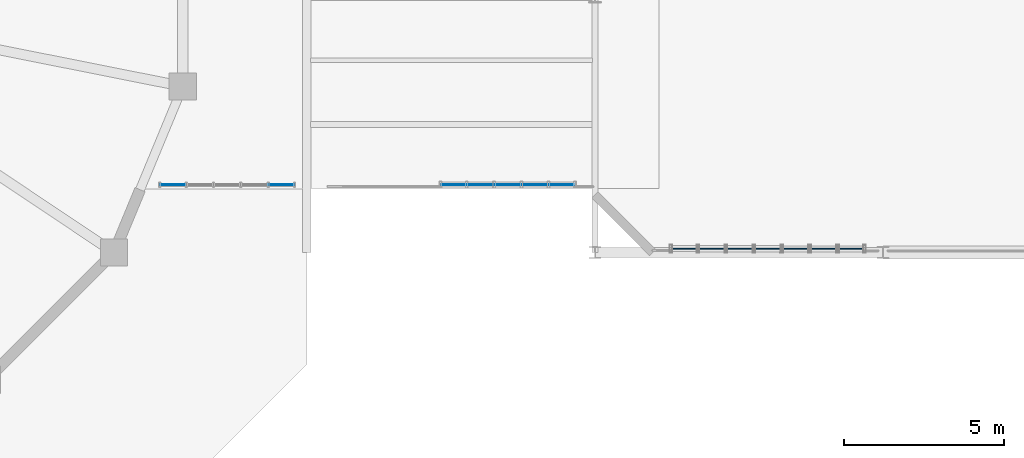
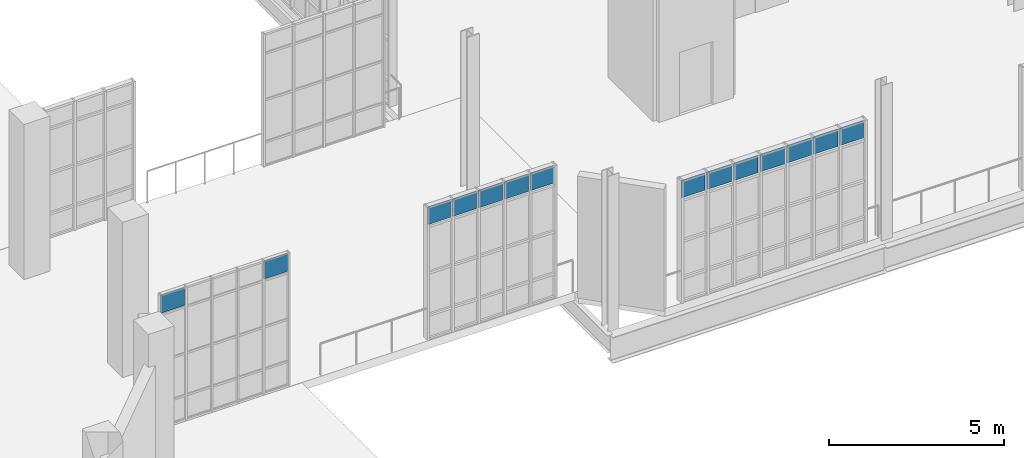
# One storey, part 119 of 142: 14 plates, 3 elements without a shape of their own.
"""IFC4 building model written with IfcOpenShell, lengths in metres."""

from ifc_helpers import new_model, si_unit, direction, frame, origin, origin_2d, place, context, subcontext, project, spatial, rectangle, extrude, material, layer, layer_set, type_object, element, aggregate, save


model = new_model("IFC4")

# Units and contexts
model_context = context("Model", 3, precision=1e-05, world=origin(), true_north=direction((0.0, 1.0)))
body_context = subcontext(model_context, "Body", "Model", "MODEL_VIEW")
ifc_project = project(units=[si_unit("LENGTHUNIT", "METRE"), si_unit("AREAUNIT", "SQUARE_METRE"), si_unit("VOLUMEUNIT", "CUBIC_METRE"), si_unit("PLANEANGLEUNIT", "RADIAN"), si_unit("MASSUNIT", "GRAM", prefix="KILO"), si_unit("THERMODYNAMICTEMPERATUREUNIT", "KELVIN"), si_unit("POWERUNIT", "WATT")], contexts=[model_context])

# Site, building, storey
site_placement = place(None, origin())
site = spatial("IfcSite", under=ifc_project, at=site_placement, CompositionType="ELEMENT")
building_placement = place(site_placement, origin())
building = spatial("IfcBuilding", under=site, at=building_placement, Name="Zelmaris Science Centre", CompositionType="ELEMENT")
storey_placement = place(building_placement, frame((0.0, 0.0, 5.39990234375)))
storey = spatial("IfcBuildingStorey", under=building, at=storey_placement, Name="L01", CompositionType="ELEMENT", Elevation=5.39990234375)

# Curtain wall, plates
ifc_material_1 = material(Name="Anodised architectural aluminium 6063-T6", Category="aluminium")
ifc_layer_1 = layer(ifc_material_1, 0.18994140625, Name="Anodised architectural aluminium 6063-T6")
ifc_layer_set_1 = layer_set([ifc_layer_1], Name="Anodised architectural aluminium 6063-T6")
curtain_wall_type_1 = type_object("IfcCurtainWallType", Name="Curtain Wall CW-01", PredefinedType="USERDEFINED", material=ifc_layer_set_1)
curtain_wall_1_placement = place(storey_placement, origin())
curtain_wall_1 = element("IfcCurtainWall", 1, at=curtain_wall_1_placement, inside=storey, type_object=curtain_wall_type_1, Name="L01 Unitised curtain wall 197", ObjectType="GLAZED CURTAIN WALL", PredefinedType="USERDEFINED")
ifc_material_2 = material(Name="Laminated hurricane-rated low-E insulated glazing", Category="glass")
ifc_layer_2 = layer(ifc_material_2, 0.031982421875, Name="Laminated hurricane-rated low-E insulated glazing")
ifc_layer_set_2 = layer_set([ifc_layer_2], Name="Laminated hurricane-rated low-E insulated glazing")
plate_type_1 = type_object("IfcPlateType", Name="Curtain Glazing Panel CWP-1 32mm", PredefinedType="CURTAIN_PANEL", material=ifc_layer_set_2)
plate_1_placement = place(storey_placement, frame((62.0048828125, 64.1142578125, 3.580078125), z_axis=(0.0, 0.0, 1.0), x_axis=(-0.999999566273, 0.000931372149, 0.0)))
plate_1 = element("IfcPlate", 2, at=plate_1_placement, type_object=plate_type_1, Name="CW-01 panel 1.4", PredefinedType="CURTAIN_PANEL", context=body_context, shape_type="SweptSolid", body=[
    extrude(rectangle(XDim=0.766357421875, YDim=0.031982421875, at=origin_2d()), origin(), (0.0, 0.0, 1.0), 0.592041015625),
])
plate_2_placement = place(storey_placement, frame((61.148681640625, 64.115234375, 3.580078125), z_axis=(0.0, 0.0, 1.0), x_axis=(-0.999999566273, 0.000931372149, 0.0)))
plate_2 = element("IfcPlate", 3, at=plate_2_placement, type_object=plate_type_1, Name="CW-01 panel 2.4", PredefinedType="CURTAIN_PANEL", context=body_context, shape_type="SweptSolid", body=[
    extrude(rectangle(XDim=0.80224609375, YDim=0.031982421875, at=origin_2d()), origin(), (0.0, 0.0, 1.0), 0.592041015625),
])
plate_3_placement = place(storey_placement, frame((60.2744140625, 64.115966796875, 3.580078125), z_axis=(0.0, 0.0, 1.0), x_axis=(-0.999999566273, 0.000931372149, 0.0)))
plate_3 = element("IfcPlate", 4, at=plate_3_placement, type_object=plate_type_1, Name="CW-01 panel 3.4", PredefinedType="CURTAIN_PANEL", context=body_context, shape_type="SweptSolid", body=[
    extrude(rectangle(XDim=0.80224609375, YDim=0.031982421875, at=origin_2d()), origin(), (0.0, 0.0, 1.0), 0.592041015625),
])
plate_4_placement = place(storey_placement, frame((59.400146484375, 64.11669921875, 3.580078125), z_axis=(0.0, 0.0, 1.0), x_axis=(-0.999999566273, 0.000931372149, 0.0)))
plate_4 = element("IfcPlate", 5, at=plate_4_placement, type_object=plate_type_1, Name="CW-01 panel 4.4", PredefinedType="CURTAIN_PANEL", context=body_context, shape_type="SweptSolid", body=[
    extrude(rectangle(XDim=0.80224609375, YDim=0.031982421875, at=origin_2d()), origin(), (0.0, 0.0, 1.0), 0.592041015625),
])
plate_5_placement = place(storey_placement, frame((58.52587890625, 64.11767578125, 3.580078125), z_axis=(0.0, 0.0, 1.0), x_axis=(-0.999999566273, 0.000931372149, 0.0)))
plate_5 = element("IfcPlate", 6, at=plate_5_placement, type_object=plate_type_1, Name="CW-01 panel 5.4", PredefinedType="CURTAIN_PANEL", context=body_context, shape_type="SweptSolid", body=[
    extrude(rectangle(XDim=0.80224609375, YDim=0.031982421875, at=origin_2d()), origin(), (0.0, 0.0, 1.0), 0.592041015625),
])
plate_6_placement = place(storey_placement, frame((57.651611328125, 64.118408203125, 3.580078125), z_axis=(0.0, 0.0, 1.0), x_axis=(-0.999999566273, 0.000931372149, 0.0)))
plate_6 = element("IfcPlate", 7, at=plate_6_placement, type_object=plate_type_1, Name="CW-01 panel 6.4", PredefinedType="CURTAIN_PANEL", context=body_context, shape_type="SweptSolid", body=[
    extrude(rectangle(XDim=0.80224609375, YDim=0.031982421875, at=origin_2d()), origin(), (0.0, 0.0, 1.0), 0.592041015625),
])
plate_7_placement = place(storey_placement, frame((56.795166015625, 64.119140625, 3.580078125), z_axis=(0.0, 0.0, 1.0), x_axis=(-0.999999566273, 0.000931372149, 0.0)))
plate_7 = element("IfcPlate", 8, at=plate_7_placement, type_object=plate_type_1, Name="CW-01 panel 7.4", PredefinedType="CURTAIN_PANEL", context=body_context, shape_type="SweptSolid", body=[
    extrude(rectangle(XDim=0.766357421875, YDim=0.031982421875, at=origin_2d()), origin(), (0.0, 0.0, 1.0), 0.592041015625),
])
aggregate(curtain_wall_1, [plate_1, plate_2, plate_3, plate_4, plate_5, plate_6, plate_7])

ifc_layer_3 = layer(ifc_material_1, 0.199951171875, Name="Anodised architectural aluminium 6063-T6")
ifc_layer_set_3 = layer_set([ifc_layer_3], Name="Anodised architectural aluminium 6063-T6")
curtain_wall_type_2 = type_object("IfcCurtainWallType", Name="Curtain Wall CW-02", PredefinedType="USERDEFINED", material=ifc_layer_set_3)
curtain_wall_2_placement = place(storey_placement, origin())
curtain_wall_2 = element("IfcCurtainWall", 9, at=curtain_wall_2_placement, inside=storey, type_object=curtain_wall_type_2, Name="L01 Unitised curtain wall 198", ObjectType="GLAZED CURTAIN WALL", PredefinedType="USERDEFINED")
ifc_layer_4 = layer(ifc_material_2, 0.028076171875, Name="Laminated hurricane-rated low-E insulated glazing")
ifc_layer_set_4 = layer_set([ifc_layer_4], Name="Laminated hurricane-rated low-E insulated glazing")
plate_type_2 = type_object("IfcPlateType", Name="Curtain Glazing Panel CWP-2 28mm", PredefinedType="CURTAIN_PANEL", material=ifc_layer_set_4)
plate_8_placement = place(storey_placement, frame((52.962890625, 66.11962890625, 3.95361328125), z_axis=(0.0, 0.0, 1.0), x_axis=(-1.0, 0.0, 0.0)))
plate_8 = element("IfcPlate", 10, at=plate_8_placement, type_object=plate_type_2, Name="CW-02 panel 1.4", PredefinedType="CURTAIN_PANEL", context=body_context, shape_type="SweptSolid", body=[
    extrude(rectangle(XDim=0.752197265625, YDim=0.028076171875, at=origin_2d()), origin(), (0.0, 0.0, 1.0), 0.599609375),
])
plate_9_placement = place(storey_placement, frame((52.126953125, 66.11962890625, 3.95361328125), z_axis=(0.0, 0.0, 1.0), x_axis=(-1.0, 0.0, 0.0)))
plate_9 = element("IfcPlate", 11, at=plate_9_placement, type_object=plate_type_2, Name="CW-02 panel 2.4", PredefinedType="CURTAIN_PANEL", context=body_context, shape_type="SweptSolid", body=[
    extrude(rectangle(XDim=0.78564453125, YDim=0.028076171875, at=origin_2d()), origin(), (0.0, 0.0, 1.0), 0.599609375),
])
plate_10_placement = place(storey_placement, frame((51.274169921875, 66.11962890625, 3.95361328125), z_axis=(0.0, 0.0, 1.0), x_axis=(-1.0, 0.0, 0.0)))
plate_10 = element("IfcPlate", 12, at=plate_10_placement, type_object=plate_type_2, Name="CW-02 panel 3.4", PredefinedType="CURTAIN_PANEL", context=body_context, shape_type="SweptSolid", body=[
    extrude(rectangle(XDim=0.78564453125, YDim=0.028076171875, at=origin_2d()), origin(), (0.0, 0.0, 1.0), 0.599609375),
])
plate_11_placement = place(storey_placement, frame((50.421630859375, 66.11962890625, 3.95361328125), z_axis=(0.0, 0.0, 1.0), x_axis=(-1.0, 0.0, 0.0)))
plate_11 = element("IfcPlate", 13, at=plate_11_placement, type_object=plate_type_2, Name="CW-02 panel 4.4", PredefinedType="CURTAIN_PANEL", context=body_context, shape_type="SweptSolid", body=[
    extrude(rectangle(XDim=0.78564453125, YDim=0.028076171875, at=origin_2d()), origin(), (0.0, 0.0, 1.0), 0.599609375),
])
plate_12_placement = place(storey_placement, frame((49.585693359375, 66.11962890625, 3.95361328125), z_axis=(0.0, 0.0, 1.0), x_axis=(-1.0, 0.0, 0.0)))
plate_12 = element("IfcPlate", 14, at=plate_12_placement, type_object=plate_type_2, Name="CW-02 panel 5.4", PredefinedType="CURTAIN_PANEL", context=body_context, shape_type="SweptSolid", body=[
    extrude(rectangle(XDim=0.752197265625, YDim=0.028076171875, at=origin_2d()), origin(), (0.0, 0.0, 1.0), 0.599609375),
])
aggregate(curtain_wall_2, [plate_8, plate_9, plate_10, plate_11, plate_12])

ifc_layer_5 = layer(ifc_material_1, 0.219970703125, Name="Anodised architectural aluminium 6063-T6")
ifc_layer_set_5 = layer_set([ifc_layer_5], Name="Anodised architectural aluminium 6063-T6")
curtain_wall_type_3 = type_object("IfcCurtainWallType", Name="Curtain Wall CW-04", PredefinedType="USERDEFINED", material=ifc_layer_set_5)
curtain_wall_3_placement = place(storey_placement, origin())
curtain_wall_3 = element("IfcCurtainWall", 15, at=curtain_wall_3_placement, inside=storey, type_object=curtain_wall_type_3, Name="L01 Unitised curtain wall 200", ObjectType="GLAZED CURTAIN WALL", PredefinedType="USERDEFINED")
ifc_layer_6 = layer(ifc_material_2, 0.02392578125, Name="Laminated hurricane-rated low-E insulated glazing")
ifc_layer_set_6 = layer_set([ifc_layer_6], Name="Laminated hurricane-rated low-E insulated glazing")
plate_type_3 = type_object("IfcPlateType", Name="Curtain Glazing Panel CWP-4 24mm", PredefinedType="CURTAIN_PANEL", material=ifc_layer_set_6)
plate_13_placement = place(storey_placement, frame((44.199951171875, 66.11962890625, 3.946044921875), z_axis=(0.0, 0.0, 1.0), x_axis=(-1.0, 0.0, 0.0)))
plate_13 = element("IfcPlate", 16, at=plate_13_placement, type_object=plate_type_3, Name="CW-04 panel 1.4", PredefinedType="CURTAIN_PANEL", context=body_context, shape_type="SweptSolid", body=[
    extrude(rectangle(XDim=0.774658203125, YDim=0.02392578125, at=origin_2d()), origin(), (0.0, 0.0, 1.0), 0.6220703125),
])
plate_14_placement = place(storey_placement, frame((40.815185546875, 66.11962890625, 3.946044921875), z_axis=(0.0, 0.0, 1.0), x_axis=(-1.0, 0.0, 0.0)))
plate_14 = element("IfcPlate", 17, at=plate_14_placement, type_object=plate_type_3, Name="CW-04 panel 5.4", PredefinedType="CURTAIN_PANEL", context=body_context, shape_type="SweptSolid", body=[
    extrude(rectangle(XDim=0.774658203125, YDim=0.02392578125, at=origin_2d()), origin(), (0.0, 0.0, 1.0), 0.6220703125),
])
aggregate(curtain_wall_3, [plate_13, plate_14])

save(model, "model.ifc")
